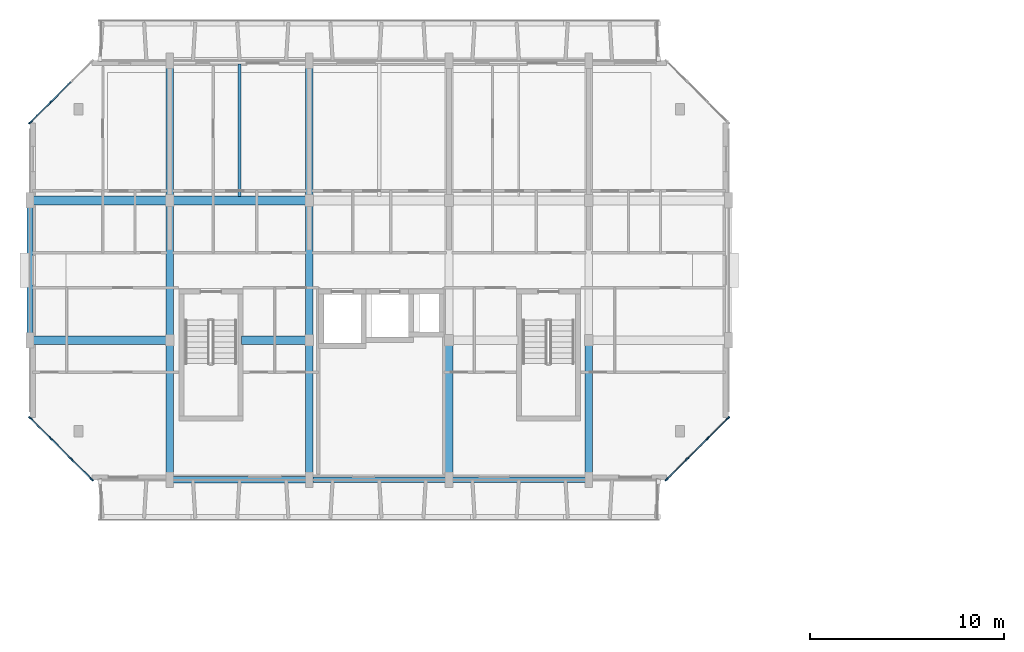
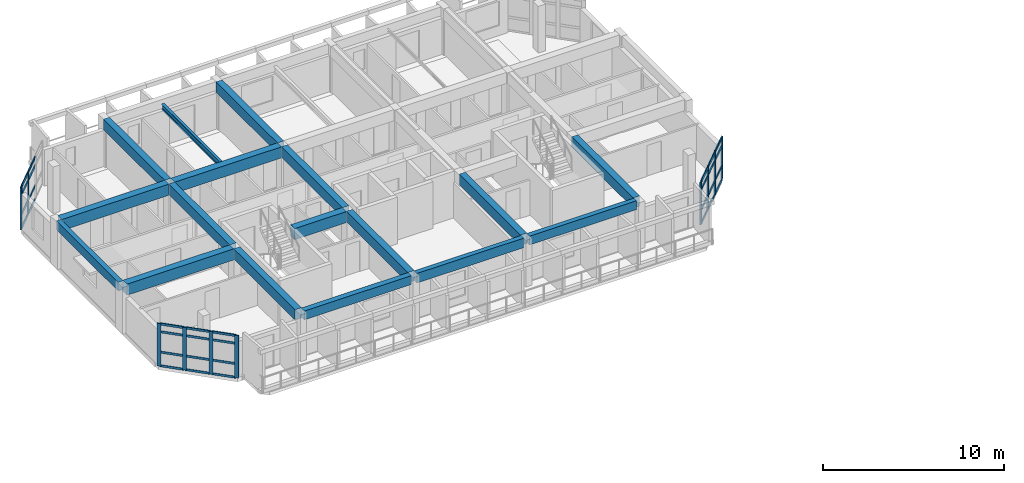
# One storey, part 5 of 45: 42 members, 17 beams, 3 elements without a shape of their own.
"""IFC4 building model written with IfcOpenShell, lengths in metres."""

from ifc_helpers import new_model, si_unit, direction, frame, origin, origin_2d, place, context, subcontext, project, spatial, rectangle, i_section, extrude, material, layer, layer_set, material_profile, profile_set, type_object, element, aggregate, save


model = new_model("IFC4")

# Units and contexts
model_context = context("Model", 3, precision=1e-05, world=origin(), true_north=direction((0.0, 1.0)))
body_context = subcontext(model_context, "Body", "Model", "MODEL_VIEW")
ifc_project = project(units=[si_unit("LENGTHUNIT", "METRE"), si_unit("AREAUNIT", "SQUARE_METRE"), si_unit("VOLUMEUNIT", "CUBIC_METRE"), si_unit("PLANEANGLEUNIT", "RADIAN"), si_unit("MASSUNIT", "GRAM", prefix="KILO")], contexts=[model_context])

# Site, building, storey
site_placement = place(None, origin())
site = spatial("IfcSite", under=ifc_project, at=site_placement, CompositionType="ELEMENT")
building_placement = place(site_placement, origin())
building = spatial("IfcBuilding", under=site, at=building_placement, Name="Ochrevale Crest", CompositionType="ELEMENT")
storey_placement = place(building_placement, frame((0.0, 0.0, 18.14990234375)))
storey = spatial("IfcBuildingStorey", under=building, at=storey_placement, Name="L05", CompositionType="ELEMENT", Elevation=18.14990234375)

# Beams
ifc_material_1 = material(Name="Precast concrete C50/60", Category="concrete")
ifc_material_profile_1 = material_profile(ifc_material_1, rectangle(XDim=0.39990234375, YDim=0.699951171875, at=origin_2d()), Name="PC 400x700")
ifc_profile_set_1 = profile_set([ifc_material_profile_1], Name="Precast concrete C50/60")
beam_type_1 = type_object("IfcBeamType", Name="BM-PC400x700", PredefinedType="BEAM", material=ifc_profile_set_1)
beam_1_placement = place(storey_placement, frame((7.199951171875, 72.179931640625, 2.800048828125), z_axis=(0.0, 1.0, 0.0), x_axis=(-1.0, 0.0, 0.0)))
element("IfcBeam", 1, at=beam_1_placement, inside=storey, type_object=beam_type_1, Name="Block B L05 N-S beam X=7.2", PredefinedType="BEAM", context=body_context, shape_type="SweptSolid", body=[
    extrude(rectangle(XDim=0.39990234375, YDim=0.699951171875, at=origin_2d()), origin(), (0.0, 0.0, 1.0), 6.815185546875),
])
beam_2_placement = place(storey_placement, frame((7.199951171875, 79.405029296875, 2.800048828125), z_axis=(0.0, 1.0, 0.0), x_axis=(-1.0, 0.0, 0.0)))
element("IfcBeam", 2, at=beam_2_placement, inside=storey, type_object=beam_type_1, Name="Block B L05 N-S beam X=7.2", PredefinedType="BEAM", context=body_context, shape_type="SweptSolid", body=[
    extrude(rectangle(XDim=0.39990234375, YDim=0.699951171875, at=origin_2d()), origin(), (0.0, 0.0, 1.0), 6.7900390625),
])
beam_3_placement = place(storey_placement, frame((7.199951171875, 86.60498046875, 2.800048828125), z_axis=(0.0, 1.0, 0.0), x_axis=(-1.0, 0.0, 0.0)))
element("IfcBeam", 3, at=beam_3_placement, inside=storey, type_object=beam_type_1, Name="Block B L05 N-S beam X=7.2", PredefinedType="BEAM", context=body_context, shape_type="SweptSolid", body=[
    extrude(rectangle(XDim=0.39990234375, YDim=0.699951171875, at=origin_2d()), origin(), (0.0, 0.0, 1.0), 6.81494140625),
])
beam_4_placement = place(storey_placement, frame((14.39990234375, 72.179931640625, 2.800048828125), z_axis=(0.0, 1.0, 0.0), x_axis=(-1.0, 0.0, 0.0)))
element("IfcBeam", 4, at=beam_4_placement, inside=storey, type_object=beam_type_1, Name="Block B L05 N-S beam X=14.4", PredefinedType="BEAM", context=body_context, shape_type="SweptSolid", body=[
    extrude(rectangle(XDim=0.39990234375, YDim=0.699951171875, at=origin_2d()), origin(), (0.0, 0.0, 1.0), 6.815185546875),
])
beam_5_placement = place(storey_placement, frame((14.39990234375, 79.405029296875, 2.800048828125), z_axis=(0.0, 1.0, 0.0), x_axis=(-1.0, 0.0, 0.0)))
element("IfcBeam", 5, at=beam_5_placement, inside=storey, type_object=beam_type_1, Name="Block B L05 N-S beam X=14.4", PredefinedType="BEAM", context=body_context, shape_type="SweptSolid", body=[
    extrude(rectangle(XDim=0.39990234375, YDim=0.699951171875, at=origin_2d()), origin(), (0.0, 0.0, 1.0), 6.7900390625),
])
beam_6_placement = place(storey_placement, frame((14.39990234375, 86.60498046875, 2.800048828125), z_axis=(0.0, 1.0, 0.0), x_axis=(-1.0, 0.0, 0.0)))
element("IfcBeam", 6, at=beam_6_placement, inside=storey, type_object=beam_type_1, Name="Block B L05 N-S beam X=14.4", PredefinedType="BEAM", context=body_context, shape_type="SweptSolid", body=[
    extrude(rectangle(XDim=0.39990234375, YDim=0.699951171875, at=origin_2d()), origin(), (0.0, 0.0, 1.0), 6.81494140625),
])
for number, where, z_axis, x_axis, name in (
    (7, (21.60009765625, 72.179931640625, 2.800048828125), (0.0, 1.0, 0.0), (-1.0, 0.0, 0.0), "Block B L05 N-S beam X=21.6"),
    (8, (28.800048828125, 72.179931640625, 2.800048828125), (0.0, 1.0, 0.0), (-1.0, 0.0, 0.0), "Block B L05 N-S beam X=28.8"),
):
    element("IfcBeam", number, at=place(storey_placement, frame(where, z_axis=z_axis, x_axis=x_axis)), inside=storey, type_object=beam_type_1, Name=name, PredefinedType="BEAM", context=body_context, shape_type="SweptSolid", body=[
        extrude(rectangle(XDim=0.39990234375, YDim=0.699951171875, at=origin_2d()), origin(), (0.0, 0.0, 1.0), 6.815185546875),
    ])
ifc_material_2 = material(Name="Concrete C50/60", Category="concrete")
ifc_material_profile_2 = material_profile(ifc_material_2, rectangle(XDim=0.449951171875, YDim=0.75, at=origin_2d()), Name="RC 450x750")
ifc_profile_set_2 = profile_set([ifc_material_profile_2], Name="Concrete C50/60")
beam_type_2 = type_object("IfcBeamType", Name="BM-PG450x750", PredefinedType="USERDEFINED", material=ifc_profile_set_2)
beam_7_placement = place(storey_placement, frame((0.175048828125, 79.199951171875, 2.775146484375), z_axis=(1.0, 0.0, 0.0), x_axis=(0.0, 1.0, 0.0)))
element("IfcBeam", 9, at=beam_7_placement, inside=storey, type_object=beam_type_2, Name="Block B L05 E-W beam Y=79.2", ObjectType="GIRDER", PredefinedType="USERDEFINED", context=body_context, shape_type="SweptSolid", body=[
    extrude(rectangle(XDim=0.449951171875, YDim=0.75, at=origin_2d()), origin(), (0.0, 0.0, 1.0), 6.824951171875),
])
beam_8_placement = place(storey_placement, frame((10.889892578125, 79.199951171875, 2.775146484375), z_axis=(1.0, 0.0, 0.0), x_axis=(0.0, 1.0, 0.0)))
element("IfcBeam", 10, at=beam_8_placement, inside=storey, type_object=beam_type_2, Name="Block B L05 E-W beam Y=79.2", ObjectType="GIRDER", PredefinedType="USERDEFINED", context=body_context, shape_type="SweptSolid", body=[
    extrude(rectangle(XDim=0.449951171875, YDim=0.75, at=origin_2d()), origin(), (0.0, 0.0, 1.0), 3.31005859375),
])
beam_9_placement = place(storey_placement, frame((0.175048828125, 86.39990234375, 2.775146484375), z_axis=(1.0, 0.0, 0.0), x_axis=(0.0, 1.0, 0.0)))
element("IfcBeam", 11, at=beam_9_placement, inside=storey, type_object=beam_type_2, Name="Block B L05 E-W beam Y=86.4", ObjectType="GIRDER", PredefinedType="USERDEFINED", context=body_context, shape_type="SweptSolid", body=[
    extrude(rectangle(XDim=0.449951171875, YDim=0.75, at=origin_2d()), origin(), (0.0, 0.0, 1.0), 6.824951171875),
])
beam_10_placement = place(storey_placement, frame((7.39990234375, 86.39990234375, 2.775146484375), z_axis=(1.0, 0.0, 0.0), x_axis=(0.0, 1.0, 0.0)))
element("IfcBeam", 12, at=beam_10_placement, inside=storey, type_object=beam_type_2, Name="Block B L05 E-W beam Y=86.4", ObjectType="GIRDER", PredefinedType="USERDEFINED", context=body_context, shape_type="SweptSolid", body=[
    extrude(rectangle(XDim=0.449951171875, YDim=0.75, at=origin_2d()), origin(), (0.0, 0.0, 1.0), 6.800048828125),
])
ifc_material_3 = material(Name="Precast concrete C40/50", Category="concrete")
ifc_material_profile_3 = material_profile(ifc_material_3, rectangle(XDim=0.300048828125, YDim=0.60009765625, at=origin_2d()), Name="PC 300x600")
ifc_profile_set_3 = profile_set([ifc_material_profile_3], Name="Precast concrete C40/50")
beam_type_3 = type_object("IfcBeamType", Name="BM-SP300x600", PredefinedType="SPANDREL", material=ifc_profile_set_3)
beam_11_placement = place(storey_placement, frame((21.77490234375, 72.0, 2.85009765625), z_axis=(1.0, 0.0, 0.0), x_axis=(0.0, 1.0, 0.0)))
element("IfcBeam", 13, at=beam_11_placement, inside=storey, type_object=beam_type_3, Name="Block B L05 E-W beam Y=72.0", PredefinedType="SPANDREL", context=body_context, shape_type="SweptSolid", body=[
    extrude(rectangle(XDim=0.300048828125, YDim=0.60009765625, at=origin_2d()), origin(), (0.0, 0.0, 1.0), 6.85009765625),
])
beam_12_placement = place(storey_placement, frame((0.0, 79.3798828125, 2.85009765625), z_axis=(0.0, 1.0, 0.0), x_axis=(-1.0, 0.0, 0.0)))
element("IfcBeam", 14, at=beam_12_placement, inside=storey, type_object=beam_type_3, Name="Block B L05 N-S beam X=0.0", PredefinedType="SPANDREL", context=body_context, shape_type="SweptSolid", body=[
    extrude(rectangle(XDim=0.300048828125, YDim=0.60009765625, at=origin_2d()), origin(), (0.0, 0.0, 1.0), 6.840087890625),
])
ifc_material_profile_4 = material_profile(ifc_material_3, rectangle(XDim=0.300048828125, YDim=0.64990234375, at=origin_2d()), Name="PC 300x650")
ifc_profile_set_4 = profile_set([ifc_material_profile_4], Name="Precast concrete C40/50")
beam_type_4 = type_object("IfcBeamType", Name="BM-SP300x650", PredefinedType="SPANDREL", material=ifc_profile_set_4)
beam_13_placement = place(storey_placement, frame((14.574951171875, 72.0, 2.8251953125), z_axis=(1.0, 0.0, 0.0), x_axis=(0.0, 1.0, 0.0)))
element("IfcBeam", 15, at=beam_13_placement, inside=storey, type_object=beam_type_4, Name="Block B L05 E-W beam Y=72.0", PredefinedType="SPANDREL", context=body_context, shape_type="SweptSolid", body=[
    extrude(rectangle(XDim=0.300048828125, YDim=0.64990234375, at=origin_2d()), origin(), (0.0, 0.0, 1.0), 6.85009765625),
])
ifc_material_profile_5 = material_profile(ifc_material_3, rectangle(XDim=0.35009765625, YDim=0.60009765625, at=origin_2d()), Name="PC 350x600")
ifc_profile_set_5 = profile_set([ifc_material_profile_5], Name="Precast concrete C40/50")
beam_type_5 = type_object("IfcBeamType", Name="BM-SP350x600", PredefinedType="SPANDREL", material=ifc_profile_set_5)
beam_14_placement = place(storey_placement, frame((7.375, 72.0, 2.85009765625), z_axis=(1.0, 0.0, 0.0), x_axis=(0.0, 1.0, 0.0)))
element("IfcBeam", 16, at=beam_14_placement, inside=storey, type_object=beam_type_5, Name="Block B L05 E-W beam Y=72.0", PredefinedType="SPANDREL", context=body_context, shape_type="SweptSolid", body=[
    extrude(rectangle(XDim=0.35009765625, YDim=0.60009765625, at=origin_2d()), origin(), (0.0, 0.0, 1.0), 6.85009765625),
])
ifc_material_4 = material(Name="Steel S355", Category="steel")
ifc_material_profile_6 = material_profile(ifc_material_4, i_section(OverallWidth=0.172119140625, OverallDepth=0.358642578125, WebThickness=0.008056640625, FlangeThickness=0.012939453125, FilletRadius=0.011474609375, at=origin_2d()), Name="360UB56.7")
ifc_profile_set_6 = profile_set([ifc_material_profile_6], Name="Steel S355")
beam_type_6 = type_object("IfcBeamType", Name="BM-UB360B", PredefinedType="BEAM", material=ifc_profile_set_6)
beam_15_placement = place(storey_placement, frame((10.800048828125, 86.613037109375, 2.69580078125), z_axis=(0.0, 1.0, 0.0), x_axis=(-1.0, 0.0, 0.0)))
element("IfcBeam", 17, at=beam_15_placement, inside=storey, type_object=beam_type_6, Name="Block B L05 composite plank trimmer beam 2", PredefinedType="BEAM", context=body_context, shape_type="SweptSolid", body=[
    extrude(i_section(OverallWidth=0.172119140625, OverallDepth=0.358642578125, WebThickness=0.008056640625, FlangeThickness=0.012939453125, FilletRadius=0.011474609375, at=origin_2d()), origin(), (0.0, 0.0, 1.0), 6.823974609375),
])

# Curtain wall, members
ifc_material_5 = material(Name="Anodised aluminium 6063-T5", Category="aluminium")
ifc_layer_1 = layer(ifc_material_5, 0.14990234375)
ifc_layer_set_1 = layer_set([ifc_layer_1], Name="Anodised aluminium 6063-T5")
curtain_wall_type_1 = type_object("IfcCurtainWallType", Name="CW-WG-320x285", PredefinedType="NOTDEFINED", material=ifc_layer_set_1)
curtain_wall_1_placement = place(storey_placement, origin())
curtain_wall_1 = element("IfcCurtainWall", 18, at=curtain_wall_1_placement, inside=storey, type_object=curtain_wall_type_1, Name="Block B L05 chamfered corner wintergarden curtain wall 2", PredefinedType="NOTDEFINED")
ifc_material_profile_7 = material_profile(ifc_material_5, rectangle(XDim=0.074951171875, YDim=0.219970703125, at=origin_2d()), Name="ALU 75x220")
ifc_profile_set_7 = profile_set([ifc_material_profile_7], Name="Anodised aluminium 6063-T5")
member_type_1 = type_object("IfcMemberType", Name="CW-MUL-75x220", PredefinedType="MULLION", material=ifc_profile_set_7)
member_1_placement = place(storey_placement, frame((32.826416015625, 72.026611328125, 0.0), z_axis=(0.0, 0.0, 1.0), x_axis=(-0.707106781187, 0.707106781187, 0.0)))
member_1 = element("IfcMember", 19, at=member_1_placement, type_object=member_type_1, Name="CW17 mullion 1", PredefinedType="MULLION", context=body_context, shape_type="SweptSolid", body=[
    extrude(rectangle(XDim=0.074951171875, YDim=0.219970703125, at=origin_2d()), origin(), (0.0, 0.0, 1.0), 2.875),
])
member_2_placement = place(storey_placement, frame((33.86669921875, 73.066650390625, 0.0), z_axis=(0.0, 0.0, 1.0), x_axis=(-0.707106781187, 0.707106781187, 0.0)))
member_2 = element("IfcMember", 20, at=member_2_placement, type_object=member_type_1, Name="CW17 mullion 2", PredefinedType="MULLION", context=body_context, shape_type="SweptSolid", body=[
    extrude(rectangle(XDim=0.074951171875, YDim=0.219970703125, at=origin_2d()), origin(), (0.0, 0.0, 1.0), 2.875),
])
member_3_placement = place(storey_placement, frame((34.933349609375, 74.13330078125, 0.0), z_axis=(0.0, 0.0, 1.0), x_axis=(-0.707106781187, 0.707106781187, 0.0)))
member_3 = element("IfcMember", 21, at=member_3_placement, type_object=member_type_1, Name="CW17 mullion 3", PredefinedType="MULLION", context=body_context, shape_type="SweptSolid", body=[
    extrude(rectangle(XDim=0.074951171875, YDim=0.219970703125, at=origin_2d()), origin(), (0.0, 0.0, 1.0), 2.875),
])
member_4_placement = place(storey_placement, frame((35.973388671875, 75.173583984375, 0.0), z_axis=(0.0, 0.0, 1.0), x_axis=(-0.707106781187, 0.707106781187, 0.0)))
member_4 = element("IfcMember", 22, at=member_4_placement, type_object=member_type_1, Name="CW17 mullion 4", PredefinedType="MULLION", context=body_context, shape_type="SweptSolid", body=[
    extrude(rectangle(XDim=0.074951171875, YDim=0.219970703125, at=origin_2d()), origin(), (0.0, 0.0, 1.0), 2.875),
])

ifc_layer_2 = layer(ifc_material_5, 0.14990234375)
ifc_layer_set_2 = layer_set([ifc_layer_2], Name="Anodised aluminium 6063-T5")
curtain_wall_type_2 = type_object("IfcCurtainWallType", Name="CW-WG-280x285", PredefinedType="NOTDEFINED", material=ifc_layer_set_2)
curtain_wall_2_placement = place(storey_placement, origin())
curtain_wall_2 = element("IfcCurtainWall", 23, at=curtain_wall_2_placement, inside=storey, type_object=curtain_wall_type_2, Name="Block B L05 chamfered corner wintergarden curtain wall 6", PredefinedType="NOTDEFINED")
member_5_placement = place(storey_placement, frame((1.066650390625, 91.466552734375, 0.0), z_axis=(0.0, 0.0, 1.0), x_axis=(0.707106781187, -0.707106781187, 0.0)))
member_5 = element("IfcMember", 24, at=member_5_placement, type_object=member_type_1, Name="CW16 mullion 3", PredefinedType="MULLION", context=body_context, shape_type="SweptSolid", body=[
    extrude(rectangle(XDim=0.074951171875, YDim=0.219970703125, at=origin_2d()), origin(), (0.0, 0.0, 1.0), 2.875),
])
member_6_placement = place(storey_placement, frame((0.026611328125, 90.426513671875, 0.0), z_axis=(0.0, 0.0, 1.0), x_axis=(0.707106781187, -0.707106781187, 0.0)))
member_6 = element("IfcMember", 25, at=member_6_placement, type_object=member_type_1, Name="CW16 mullion 4", PredefinedType="MULLION", context=body_context, shape_type="SweptSolid", body=[
    extrude(rectangle(XDim=0.074951171875, YDim=0.219970703125, at=origin_2d()), origin(), (0.0, 0.0, 1.0), 2.875),
])

ifc_layer_3 = layer(ifc_material_5, 0.14990234375)
ifc_layer_set_3 = layer_set([ifc_layer_3], Name="Anodised aluminium 6063-T5")
curtain_wall_type_3 = type_object("IfcCurtainWallType", Name="CW-WG-360x285", PredefinedType="NOTDEFINED", material=ifc_layer_set_3)
curtain_wall_3_placement = place(storey_placement, origin())
curtain_wall_3 = element("IfcCurtainWall", 26, at=curtain_wall_3_placement, inside=storey, type_object=curtain_wall_type_3, Name="Block B L05 chamfered corner wintergarden curtain wall 8", PredefinedType="NOTDEFINED")
member_7_placement = place(storey_placement, frame((0.026611328125, 75.173583984375, 0.0), z_axis=(0.0, 0.0, 1.0), x_axis=(0.707106781187, 0.707106781187, 0.0)))
member_7 = element("IfcMember", 27, at=member_7_placement, type_object=member_type_1, Name="CW18 mullion 1", PredefinedType="MULLION", context=body_context, shape_type="SweptSolid", body=[
    extrude(rectangle(XDim=0.074951171875, YDim=0.219970703125, at=origin_2d()), origin(), (0.0, 0.0, 1.0), 2.875),
])
member_8_placement = place(storey_placement, frame((1.066650390625, 74.13330078125, 0.0), z_axis=(0.0, 0.0, 1.0), x_axis=(0.707106781187, 0.707106781187, 0.0)))
member_8 = element("IfcMember", 28, at=member_8_placement, type_object=member_type_1, Name="CW18 mullion 2", PredefinedType="MULLION", context=body_context, shape_type="SweptSolid", body=[
    extrude(rectangle(XDim=0.074951171875, YDim=0.219970703125, at=origin_2d()), origin(), (0.0, 0.0, 1.0), 2.875),
])
member_9_placement = place(storey_placement, frame((2.13330078125, 73.066650390625, 0.0), z_axis=(0.0, 0.0, 1.0), x_axis=(0.707106781187, 0.707106781187, 0.0)))
member_9 = element("IfcMember", 29, at=member_9_placement, type_object=member_type_1, Name="CW18 mullion 3", PredefinedType="MULLION", context=body_context, shape_type="SweptSolid", body=[
    extrude(rectangle(XDim=0.074951171875, YDim=0.219970703125, at=origin_2d()), origin(), (0.0, 0.0, 1.0), 2.875),
])
member_10_placement = place(storey_placement, frame((3.173583984375, 72.026611328125, 0.0), z_axis=(0.0, 0.0, 1.0), x_axis=(0.707106781187, 0.707106781187, 0.0)))
member_10 = element("IfcMember", 30, at=member_10_placement, type_object=member_type_1, Name="CW18 mullion 4", PredefinedType="MULLION", context=body_context, shape_type="SweptSolid", body=[
    extrude(rectangle(XDim=0.074951171875, YDim=0.219970703125, at=origin_2d()), origin(), (0.0, 0.0, 1.0), 2.875),
])

# Member
ifc_material_profile_8 = material_profile(ifc_material_5, rectangle(XDim=0.06005859375, YDim=0.14990234375, at=origin_2d()), Name="ALU 60x150")
ifc_profile_set_8 = profile_set([ifc_material_profile_8], Name="Anodised aluminium 6063-T5")
member_type_2 = type_object("IfcMemberType", Name="CW-TRN-60x150", PredefinedType="USERDEFINED", material=ifc_profile_set_8)
member_11_placement = place(storey_placement, frame((32.85302734375, 72.052978515625, 0.030029296875), z_axis=(0.707106781187, 0.707106781187, 0.0), x_axis=(-0.707106781187, 0.707106781187, 0.0)))
member_11 = element("IfcMember", 31, at=member_11_placement, type_object=member_type_2, Name="CW17 transom 1.1", ObjectType="TRANSOM", PredefinedType="USERDEFINED", context=body_context, shape_type="SweptSolid", body=[
    extrude(rectangle(XDim=0.06005859375, YDim=0.14990234375, at=origin_2d()), origin(), (0.0, 0.0, 1.0), 1.39599609375),
])

member_12_placement = place(storey_placement, frame((32.85302734375, 72.052978515625, 0.9501953125), z_axis=(0.707106781187, 0.707106781187, 0.0), x_axis=(-0.707106781187, 0.707106781187, 0.0)))
member_12 = element("IfcMember", 32, at=member_12_placement, type_object=member_type_2, Name="CW17 transom 1.2", ObjectType="TRANSOM", PredefinedType="USERDEFINED", context=body_context, shape_type="SweptSolid", body=[
    extrude(rectangle(XDim=0.06005859375, YDim=0.14990234375, at=origin_2d()), origin(), (0.0, 0.0, 1.0), 1.39599609375),
])

member_13_placement = place(storey_placement, frame((32.85302734375, 72.052978515625, 2.3251953125), z_axis=(0.707106781187, 0.707106781187, 0.0), x_axis=(-0.707106781187, 0.707106781187, 0.0)))
member_13 = element("IfcMember", 33, at=member_13_placement, type_object=member_type_2, Name="CW17 transom 1.3", ObjectType="TRANSOM", PredefinedType="USERDEFINED", context=body_context, shape_type="SweptSolid", body=[
    extrude(rectangle(XDim=0.06005859375, YDim=0.14990234375, at=origin_2d()), origin(), (0.0, 0.0, 1.0), 1.39599609375),
])

member_14_placement = place(storey_placement, frame((32.85302734375, 72.052978515625, 2.84521484375), z_axis=(0.707106781187, 0.707106781187, 0.0), x_axis=(-0.707106781187, 0.707106781187, 0.0)))
member_14 = element("IfcMember", 34, at=member_14_placement, type_object=member_type_2, Name="CW17 transom 1.4", ObjectType="TRANSOM", PredefinedType="USERDEFINED", context=body_context, shape_type="SweptSolid", body=[
    extrude(rectangle(XDim=0.06005859375, YDim=0.14990234375, at=origin_2d()), origin(), (0.0, 0.0, 1.0), 1.39599609375),
])

member_15_placement = place(storey_placement, frame((33.89306640625, 73.09326171875, 0.030029296875), z_axis=(0.707106781187, 0.707106781187, 0.0), x_axis=(-0.707106781187, 0.707106781187, 0.0)))
member_15 = element("IfcMember", 35, at=member_15_placement, type_object=member_type_2, Name="CW17 transom 2.1", ObjectType="TRANSOM", PredefinedType="USERDEFINED", context=body_context, shape_type="SweptSolid", body=[
    extrude(rectangle(XDim=0.06005859375, YDim=0.14990234375, at=origin_2d()), origin(), (0.0, 0.0, 1.0), 1.43359375),
])

member_16_placement = place(storey_placement, frame((33.89306640625, 73.09326171875, 0.9501953125), z_axis=(0.707106781187, 0.707106781187, 0.0), x_axis=(-0.707106781187, 0.707106781187, 0.0)))
member_16 = element("IfcMember", 36, at=member_16_placement, type_object=member_type_2, Name="CW17 transom 2.2", ObjectType="TRANSOM", PredefinedType="USERDEFINED", context=body_context, shape_type="SweptSolid", body=[
    extrude(rectangle(XDim=0.06005859375, YDim=0.14990234375, at=origin_2d()), origin(), (0.0, 0.0, 1.0), 1.43359375),
])

member_17_placement = place(storey_placement, frame((33.89306640625, 73.09326171875, 2.3251953125), z_axis=(0.707106781187, 0.707106781187, 0.0), x_axis=(-0.707106781187, 0.707106781187, 0.0)))
member_17 = element("IfcMember", 37, at=member_17_placement, type_object=member_type_2, Name="CW17 transom 2.3", ObjectType="TRANSOM", PredefinedType="USERDEFINED", context=body_context, shape_type="SweptSolid", body=[
    extrude(rectangle(XDim=0.06005859375, YDim=0.14990234375, at=origin_2d()), origin(), (0.0, 0.0, 1.0), 1.43359375),
])

member_18_placement = place(storey_placement, frame((33.89306640625, 73.09326171875, 2.84521484375), z_axis=(0.707106781187, 0.707106781187, 0.0), x_axis=(-0.707106781187, 0.707106781187, 0.0)))
member_18 = element("IfcMember", 38, at=member_18_placement, type_object=member_type_2, Name="CW17 transom 2.4", ObjectType="TRANSOM", PredefinedType="USERDEFINED", context=body_context, shape_type="SweptSolid", body=[
    extrude(rectangle(XDim=0.06005859375, YDim=0.14990234375, at=origin_2d()), origin(), (0.0, 0.0, 1.0), 1.43359375),
])

member_19_placement = place(storey_placement, frame((34.9599609375, 74.159912109375, 0.030029296875), z_axis=(0.707106781187, 0.707106781187, 0.0), x_axis=(-0.707106781187, 0.707106781187, 0.0)))
member_19 = element("IfcMember", 39, at=member_19_placement, type_object=member_type_2, Name="CW17 transom 3.1", ObjectType="TRANSOM", PredefinedType="USERDEFINED", context=body_context, shape_type="SweptSolid", body=[
    extrude(rectangle(XDim=0.06005859375, YDim=0.14990234375, at=origin_2d()), origin(), (0.0, 0.0, 1.0), 1.39599609375),
])

member_20_placement = place(storey_placement, frame((34.9599609375, 74.159912109375, 0.9501953125), z_axis=(0.707106781187, 0.707106781187, 0.0), x_axis=(-0.707106781187, 0.707106781187, 0.0)))
member_20 = element("IfcMember", 40, at=member_20_placement, type_object=member_type_2, Name="CW17 transom 3.2", ObjectType="TRANSOM", PredefinedType="USERDEFINED", context=body_context, shape_type="SweptSolid", body=[
    extrude(rectangle(XDim=0.06005859375, YDim=0.14990234375, at=origin_2d()), origin(), (0.0, 0.0, 1.0), 1.39599609375),
])

member_21_placement = place(storey_placement, frame((34.9599609375, 74.159912109375, 2.3251953125), z_axis=(0.707106781187, 0.707106781187, 0.0), x_axis=(-0.707106781187, 0.707106781187, 0.0)))
member_21 = element("IfcMember", 41, at=member_21_placement, type_object=member_type_2, Name="CW17 transom 3.3", ObjectType="TRANSOM", PredefinedType="USERDEFINED", context=body_context, shape_type="SweptSolid", body=[
    extrude(rectangle(XDim=0.06005859375, YDim=0.14990234375, at=origin_2d()), origin(), (0.0, 0.0, 1.0), 1.39599609375),
])

member_22_placement = place(storey_placement, frame((34.9599609375, 74.159912109375, 2.84521484375), z_axis=(0.707106781187, 0.707106781187, 0.0), x_axis=(-0.707106781187, 0.707106781187, 0.0)))
member_22 = element("IfcMember", 42, at=member_22_placement, type_object=member_type_2, Name="CW17 transom 3.4", ObjectType="TRANSOM", PredefinedType="USERDEFINED", context=body_context, shape_type="SweptSolid", body=[
    extrude(rectangle(XDim=0.06005859375, YDim=0.14990234375, at=origin_2d()), origin(), (0.0, 0.0, 1.0), 1.39599609375),
])

aggregate(curtain_wall_1, [member_1, member_2, member_3, member_4, member_11, member_12, member_13, member_14, member_15, member_16, member_17, member_18, member_19, member_20, member_21, member_22])

member_23_placement = place(storey_placement, frame((2.10693359375, 92.5068359375, 0.030029296875), z_axis=(-0.707106781187, -0.707106781187, 0.0), x_axis=(0.707106781187, -0.707106781187, 0.0)))
member_23 = element("IfcMember", 43, at=member_23_placement, type_object=member_type_2, Name="CW16 transom 2.1", ObjectType="TRANSOM", PredefinedType="USERDEFINED", context=body_context, shape_type="SweptSolid", body=[
    extrude(rectangle(XDim=0.06005859375, YDim=0.14990234375, at=origin_2d()), origin(), (0.0, 0.0, 1.0), 1.43359375),
])

member_24_placement = place(storey_placement, frame((2.10693359375, 92.5068359375, 0.9501953125), z_axis=(-0.707106781187, -0.707106781187, 0.0), x_axis=(0.707106781187, -0.707106781187, 0.0)))
member_24 = element("IfcMember", 44, at=member_24_placement, type_object=member_type_2, Name="CW16 transom 2.2", ObjectType="TRANSOM", PredefinedType="USERDEFINED", context=body_context, shape_type="SweptSolid", body=[
    extrude(rectangle(XDim=0.06005859375, YDim=0.14990234375, at=origin_2d()), origin(), (0.0, 0.0, 1.0), 1.43359375),
])

member_25_placement = place(storey_placement, frame((2.10693359375, 92.5068359375, 2.3251953125), z_axis=(-0.707106781187, -0.707106781187, 0.0), x_axis=(0.707106781187, -0.707106781187, 0.0)))
member_25 = element("IfcMember", 45, at=member_25_placement, type_object=member_type_2, Name="CW16 transom 2.3", ObjectType="TRANSOM", PredefinedType="USERDEFINED", context=body_context, shape_type="SweptSolid", body=[
    extrude(rectangle(XDim=0.06005859375, YDim=0.14990234375, at=origin_2d()), origin(), (0.0, 0.0, 1.0), 1.43359375),
])

member_26_placement = place(storey_placement, frame((2.10693359375, 92.5068359375, 2.84521484375), z_axis=(-0.707106781187, -0.707106781187, 0.0), x_axis=(0.707106781187, -0.707106781187, 0.0)))
member_26 = element("IfcMember", 46, at=member_26_placement, type_object=member_type_2, Name="CW16 transom 2.4", ObjectType="TRANSOM", PredefinedType="USERDEFINED", context=body_context, shape_type="SweptSolid", body=[
    extrude(rectangle(XDim=0.06005859375, YDim=0.14990234375, at=origin_2d()), origin(), (0.0, 0.0, 1.0), 1.43359375),
])

member_27_placement = place(storey_placement, frame((1.0400390625, 91.440185546875, 0.030029296875), z_axis=(-0.707106781187, -0.707106781187, 0.0), x_axis=(0.707106781187, -0.707106781187, 0.0)))
member_27 = element("IfcMember", 47, at=member_27_placement, type_object=member_type_2, Name="CW16 transom 3.1", ObjectType="TRANSOM", PredefinedType="USERDEFINED", context=body_context, shape_type="SweptSolid", body=[
    extrude(rectangle(XDim=0.06005859375, YDim=0.14990234375, at=origin_2d()), origin(), (0.0, 0.0, 1.0), 1.39599609375),
])

member_28_placement = place(storey_placement, frame((1.0400390625, 91.440185546875, 0.9501953125), z_axis=(-0.707106781187, -0.707106781187, 0.0), x_axis=(0.707106781187, -0.707106781187, 0.0)))
member_28 = element("IfcMember", 48, at=member_28_placement, type_object=member_type_2, Name="CW16 transom 3.2", ObjectType="TRANSOM", PredefinedType="USERDEFINED", context=body_context, shape_type="SweptSolid", body=[
    extrude(rectangle(XDim=0.06005859375, YDim=0.14990234375, at=origin_2d()), origin(), (0.0, 0.0, 1.0), 1.39599609375),
])

member_29_placement = place(storey_placement, frame((1.0400390625, 91.440185546875, 2.3251953125), z_axis=(-0.707106781187, -0.707106781187, 0.0), x_axis=(0.707106781187, -0.707106781187, 0.0)))
member_29 = element("IfcMember", 49, at=member_29_placement, type_object=member_type_2, Name="CW16 transom 3.3", ObjectType="TRANSOM", PredefinedType="USERDEFINED", context=body_context, shape_type="SweptSolid", body=[
    extrude(rectangle(XDim=0.06005859375, YDim=0.14990234375, at=origin_2d()), origin(), (0.0, 0.0, 1.0), 1.39599609375),
])

member_30_placement = place(storey_placement, frame((1.0400390625, 91.440185546875, 2.84521484375), z_axis=(-0.707106781187, -0.707106781187, 0.0), x_axis=(0.707106781187, -0.707106781187, 0.0)))
member_30 = element("IfcMember", 50, at=member_30_placement, type_object=member_type_2, Name="CW16 transom 3.4", ObjectType="TRANSOM", PredefinedType="USERDEFINED", context=body_context, shape_type="SweptSolid", body=[
    extrude(rectangle(XDim=0.06005859375, YDim=0.14990234375, at=origin_2d()), origin(), (0.0, 0.0, 1.0), 1.39599609375),
])

aggregate(curtain_wall_2, [member_5, member_6, member_23, member_24, member_25, member_26, member_27, member_28, member_29, member_30])

member_31_placement = place(storey_placement, frame((0.052978515625, 75.14697265625, 0.030029296875), z_axis=(0.707106781187, -0.707106781187, 0.0), x_axis=(0.707106781187, 0.707106781187, 0.0)))
member_31 = element("IfcMember", 51, at=member_31_placement, type_object=member_type_2, Name="CW18 transom 1.1", ObjectType="TRANSOM", PredefinedType="USERDEFINED", context=body_context, shape_type="SweptSolid", body=[
    extrude(rectangle(XDim=0.06005859375, YDim=0.14990234375, at=origin_2d()), origin(), (0.0, 0.0, 1.0), 1.39599609375),
])

member_32_placement = place(storey_placement, frame((0.052978515625, 75.14697265625, 0.9501953125), z_axis=(0.707106781187, -0.707106781187, 0.0), x_axis=(0.707106781187, 0.707106781187, 0.0)))
member_32 = element("IfcMember", 52, at=member_32_placement, type_object=member_type_2, Name="CW18 transom 1.2", ObjectType="TRANSOM", PredefinedType="USERDEFINED", context=body_context, shape_type="SweptSolid", body=[
    extrude(rectangle(XDim=0.06005859375, YDim=0.14990234375, at=origin_2d()), origin(), (0.0, 0.0, 1.0), 1.39599609375),
])

member_33_placement = place(storey_placement, frame((0.052978515625, 75.14697265625, 2.3251953125), z_axis=(0.707106781187, -0.707106781187, 0.0), x_axis=(0.707106781187, 0.707106781187, 0.0)))
member_33 = element("IfcMember", 53, at=member_33_placement, type_object=member_type_2, Name="CW18 transom 1.3", ObjectType="TRANSOM", PredefinedType="USERDEFINED", context=body_context, shape_type="SweptSolid", body=[
    extrude(rectangle(XDim=0.06005859375, YDim=0.14990234375, at=origin_2d()), origin(), (0.0, 0.0, 1.0), 1.39599609375),
])

member_34_placement = place(storey_placement, frame((0.052978515625, 75.14697265625, 2.84521484375), z_axis=(0.707106781187, -0.707106781187, 0.0), x_axis=(0.707106781187, 0.707106781187, 0.0)))
member_34 = element("IfcMember", 54, at=member_34_placement, type_object=member_type_2, Name="CW18 transom 1.4", ObjectType="TRANSOM", PredefinedType="USERDEFINED", context=body_context, shape_type="SweptSolid", body=[
    extrude(rectangle(XDim=0.06005859375, YDim=0.14990234375, at=origin_2d()), origin(), (0.0, 0.0, 1.0), 1.39599609375),
])

member_35_placement = place(storey_placement, frame((1.09326171875, 74.10693359375, 0.030029296875), z_axis=(0.707106781187, -0.707106781187, 0.0), x_axis=(0.707106781187, 0.707106781187, 0.0)))
member_35 = element("IfcMember", 55, at=member_35_placement, type_object=member_type_2, Name="CW18 transom 2.1", ObjectType="TRANSOM", PredefinedType="USERDEFINED", context=body_context, shape_type="SweptSolid", body=[
    extrude(rectangle(XDim=0.06005859375, YDim=0.14990234375, at=origin_2d()), origin(), (0.0, 0.0, 1.0), 1.43359375),
])

member_36_placement = place(storey_placement, frame((1.09326171875, 74.10693359375, 0.9501953125), z_axis=(0.707106781187, -0.707106781187, 0.0), x_axis=(0.707106781187, 0.707106781187, 0.0)))
member_36 = element("IfcMember", 56, at=member_36_placement, type_object=member_type_2, Name="CW18 transom 2.2", ObjectType="TRANSOM", PredefinedType="USERDEFINED", context=body_context, shape_type="SweptSolid", body=[
    extrude(rectangle(XDim=0.06005859375, YDim=0.14990234375, at=origin_2d()), origin(), (0.0, 0.0, 1.0), 1.43359375),
])

member_37_placement = place(storey_placement, frame((1.09326171875, 74.10693359375, 2.3251953125), z_axis=(0.707106781187, -0.707106781187, 0.0), x_axis=(0.707106781187, 0.707106781187, 0.0)))
member_37 = element("IfcMember", 57, at=member_37_placement, type_object=member_type_2, Name="CW18 transom 2.3", ObjectType="TRANSOM", PredefinedType="USERDEFINED", context=body_context, shape_type="SweptSolid", body=[
    extrude(rectangle(XDim=0.06005859375, YDim=0.14990234375, at=origin_2d()), origin(), (0.0, 0.0, 1.0), 1.43359375),
])

member_38_placement = place(storey_placement, frame((1.09326171875, 74.10693359375, 2.84521484375), z_axis=(0.707106781187, -0.707106781187, 0.0), x_axis=(0.707106781187, 0.707106781187, 0.0)))
member_38 = element("IfcMember", 58, at=member_38_placement, type_object=member_type_2, Name="CW18 transom 2.4", ObjectType="TRANSOM", PredefinedType="USERDEFINED", context=body_context, shape_type="SweptSolid", body=[
    extrude(rectangle(XDim=0.06005859375, YDim=0.14990234375, at=origin_2d()), origin(), (0.0, 0.0, 1.0), 1.43359375),
])

member_39_placement = place(storey_placement, frame((2.159912109375, 73.0400390625, 0.030029296875), z_axis=(0.707106781187, -0.707106781187, 0.0), x_axis=(0.707106781187, 0.707106781187, 0.0)))
member_39 = element("IfcMember", 59, at=member_39_placement, type_object=member_type_2, Name="CW18 transom 3.1", ObjectType="TRANSOM", PredefinedType="USERDEFINED", context=body_context, shape_type="SweptSolid", body=[
    extrude(rectangle(XDim=0.06005859375, YDim=0.14990234375, at=origin_2d()), origin(), (0.0, 0.0, 1.0), 1.39599609375),
])

member_40_placement = place(storey_placement, frame((2.159912109375, 73.0400390625, 0.9501953125), z_axis=(0.707106781187, -0.707106781187, 0.0), x_axis=(0.707106781187, 0.707106781187, 0.0)))
member_40 = element("IfcMember", 60, at=member_40_placement, type_object=member_type_2, Name="CW18 transom 3.2", ObjectType="TRANSOM", PredefinedType="USERDEFINED", context=body_context, shape_type="SweptSolid", body=[
    extrude(rectangle(XDim=0.06005859375, YDim=0.14990234375, at=origin_2d()), origin(), (0.0, 0.0, 1.0), 1.39599609375),
])

member_41_placement = place(storey_placement, frame((2.159912109375, 73.0400390625, 2.3251953125), z_axis=(0.707106781187, -0.707106781187, 0.0), x_axis=(0.707106781187, 0.707106781187, 0.0)))
member_41 = element("IfcMember", 61, at=member_41_placement, type_object=member_type_2, Name="CW18 transom 3.3", ObjectType="TRANSOM", PredefinedType="USERDEFINED", context=body_context, shape_type="SweptSolid", body=[
    extrude(rectangle(XDim=0.06005859375, YDim=0.14990234375, at=origin_2d()), origin(), (0.0, 0.0, 1.0), 1.39599609375),
])

member_42_placement = place(storey_placement, frame((2.159912109375, 73.0400390625, 2.84521484375), z_axis=(0.707106781187, -0.707106781187, 0.0), x_axis=(0.707106781187, 0.707106781187, 0.0)))
member_42 = element("IfcMember", 62, at=member_42_placement, type_object=member_type_2, Name="CW18 transom 3.4", ObjectType="TRANSOM", PredefinedType="USERDEFINED", context=body_context, shape_type="SweptSolid", body=[
    extrude(rectangle(XDim=0.06005859375, YDim=0.14990234375, at=origin_2d()), origin(), (0.0, 0.0, 1.0), 1.39599609375),
])

aggregate(curtain_wall_3, [member_7, member_8, member_9, member_10, member_31, member_32, member_33, member_34, member_35, member_36, member_37, member_38, member_39, member_40, member_41, member_42])

save(model, "model.ifc")
